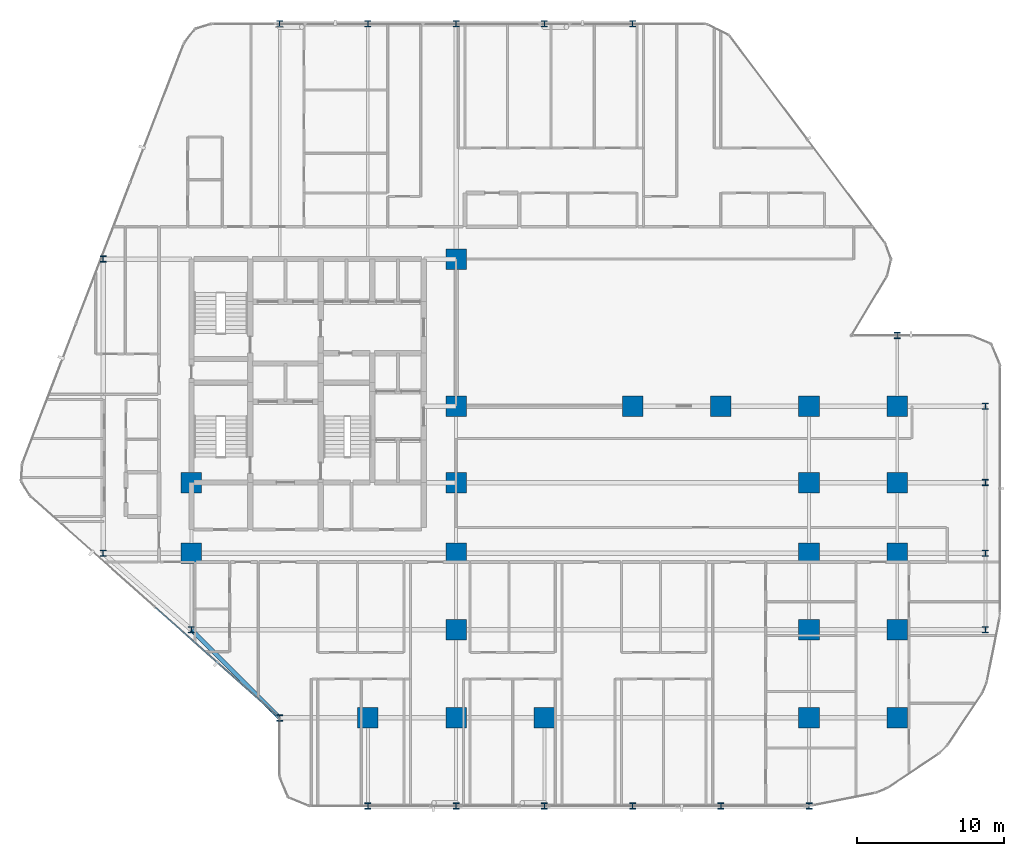
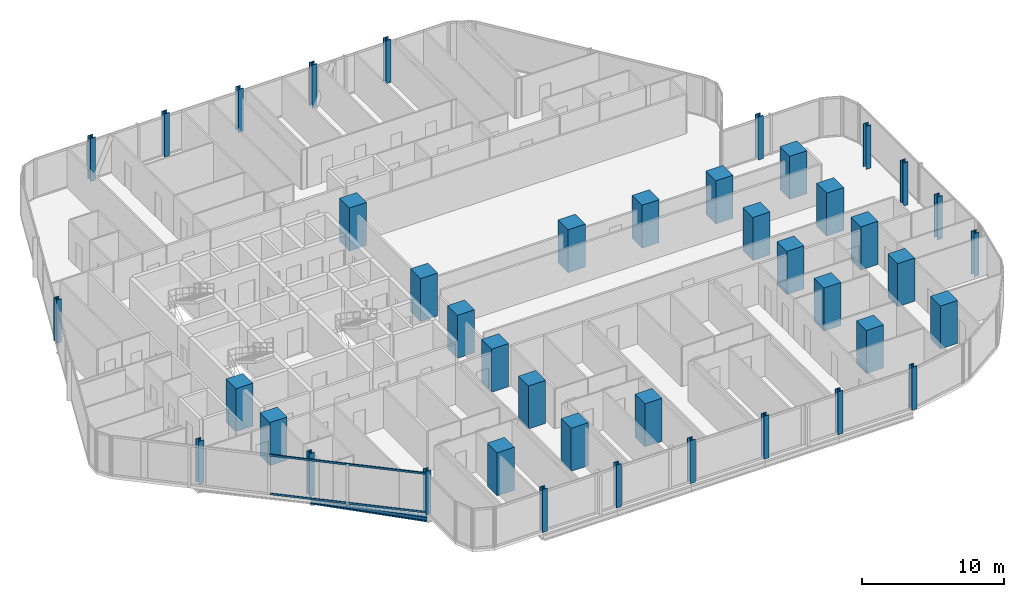
# One storey, part 1 of 35: 42 columns, 2 members, 1 beam, 1 element without a shape of its own.
"""IFC4 building model written with IfcOpenShell, lengths in metres."""

import ifcopenshell
import ifcopenshell.guid

model = None  # the IFC model being written
_history = None  # IfcOwnerHistory: only IFC2X3 demands one
_inside = {}  # id of a spatial element -> (the spatial element, [elements in it])
_under = {}  # id of a project, library or spatial element -> (it, [spatial elements below it])
_declared = {}  # id of a project -> (the project, [libraries it declares])
_typed = {}  # id of a type object -> (the type object, [elements of that type])
_made_of = {}  # id of a material, layer set ... -> (it, [elements and type objects made of it])


def new_model(schema):
    """Start an empty IFC model of exactly this schema.

    Asked for "IFC4X3", IfcOpenShell would pick the latest addendum, in which some entities
    have other attributes; the version numbers below select the first issue.
    IFC2X3 requires an IfcOwnerHistory on every rooted entity: one is made here for all.
    """
    global model, _history
    if schema == "IFC4X3":
        model = ifcopenshell.file(schema_version=(4, 3, 0, 0))
    else:
        model = ifcopenshell.file(schema=schema)
    _inside.clear()
    _under.clear()
    _declared.clear()
    _typed.clear()
    _made_of.clear()
    _history = None
    if model.schema == "IFC2X3":
        org = make("IfcOrganization", Name="unknown")
        user = make(
            "IfcPersonAndOrganization",
            ThePerson=make("IfcPerson", FamilyName="unknown"),
            TheOrganization=org,
        )
        app = make(
            "IfcApplication",
            ApplicationDeveloper=org,
            Version="unknown",
            ApplicationFullName="unknown",
            ApplicationIdentifier="unknown",
        )
        _history = make(
            "IfcOwnerHistory",
            OwningUser=user,
            OwningApplication=app,
            ChangeAction="ADDED",
            CreationDate=0,
        )
    return model


def make(cls, **values):
    """One entity of the class cls with the attributes given. An attribute that is None is left unset."""
    return model.create_entity(
        cls, **{name: value for name, value in values.items() if value is not None}
    )


def rooted(cls, **values):
    """An entity with a GlobalId (a new one), such as an element, a storey or a relation."""
    return make(cls, GlobalId=ifcopenshell.guid.new(), OwnerHistory=_history, **values)


def si_unit(unit_type, name, prefix=None):
    """IfcSIUnit, for example si_unit("LENGTHUNIT", "METRE", prefix="MILLI")."""
    return make("IfcSIUnit", UnitType=unit_type, Prefix=prefix, Name=name)


def assignment(units):
    """IfcUnitAssignment: the units of a project."""
    return None if units is None else make("IfcUnitAssignment", Units=units)


def point(xyz):
    """IfcCartesianPoint."""
    return None if xyz is None else make("IfcCartesianPoint", Coordinates=xyz)


def direction(xyz):
    """IfcDirection."""
    return None if xyz is None else make("IfcDirection", DirectionRatios=xyz)


def frame(location, z_axis=None, x_axis=None):
    """IfcAxis2Placement3D, a coordinate frame: its origin and axes. An axis left out is left unset."""
    return make(
        "IfcAxis2Placement3D",
        Location=point(location),
        Axis=direction(z_axis),
        RefDirection=direction(x_axis),
    )


def frame_2d(location, x_axis=None):
    """IfcAxis2Placement2D, a coordinate frame in the plane: its origin and x axis."""
    return make(
        "IfcAxis2Placement2D", Location=point(location), RefDirection=direction(x_axis)
    )


def origin():
    """The frame at (0, 0, 0) with its axes left unset."""
    return frame((0.0, 0.0, 0.0))


def origin_2d():
    """The frame at (0, 0) in the plane with its x axis left unset."""
    return frame_2d((0.0, 0.0))


def place(relative_to, where):
    """IfcLocalPlacement: puts the frame where relative to a parent placement (None: the world)."""
    return make(
        "IfcLocalPlacement", PlacementRelTo=relative_to, RelativePlacement=where
    )


def context(
    kind, dimensions, precision=None, world=None, true_north=None, identifier=None
):
    """IfcGeometricRepresentationContext, for example the 3D "Model" context."""
    return make(
        "IfcGeometricRepresentationContext",
        ContextIdentifier=identifier,
        ContextType=kind,
        CoordinateSpaceDimension=dimensions,
        Precision=precision,
        WorldCoordinateSystem=world,
        TrueNorth=true_north,
    )


def subcontext(parent, identifier, kind, view, scale=None):
    """IfcGeometricRepresentationSubContext, for example "Body" below "Model"."""
    return make(
        "IfcGeometricRepresentationSubContext",
        ContextIdentifier=identifier,
        ContextType=kind,
        ParentContext=parent,
        TargetScale=scale,
        TargetView=view,
    )


def project(units=None, contexts=None):
    """IfcProject with its units and contexts."""
    return rooted(
        "IfcProject",
        Name="project",
        RepresentationContexts=contexts,
        UnitsInContext=assignment(units),
    )


def spatial(cls, under=None, at=None, **own):
    """A site, building, storey or space (cls), placed at a placement, below another one or the project."""
    s = rooted(cls, ObjectPlacement=at, **own)
    if under is not None:
        _under.setdefault(under.id(), (under, []))[1].append(s)
    return s


def profile(cls, at=None, kind="AREA", **sizes):
    """A parametric profile (cls). Its sizes go by their IFC names, for example OverallWidth=200.0."""
    return make(cls, ProfileType=kind, Position=at, **sizes)


def rectangle(**sizes):
    """IfcRectangleProfileDef."""
    return profile("IfcRectangleProfileDef", **sizes)


def hollow_rectangle(**sizes):
    """IfcRectangleHollowProfileDef."""
    return profile("IfcRectangleHollowProfileDef", **sizes)


def i_section(**sizes):
    """IfcIShapeProfileDef."""
    return profile("IfcIShapeProfileDef", **sizes)


def extrude(swept, where, along, depth):
    """IfcExtrudedAreaSolid: the profile swept, set in the frame where, extruded along a direction by depth."""
    return make(
        "IfcExtrudedAreaSolid",
        SweptArea=swept,
        Position=where,
        ExtrudedDirection=direction(along),
        Depth=depth,
    )


def shape(context_of_items, identifier, shape_type, items):
    """IfcShapeRepresentation: the items that make up one representation, for example the "Body"."""
    return make(
        "IfcShapeRepresentation",
        ContextOfItems=context_of_items,
        RepresentationIdentifier=identifier,
        RepresentationType=shape_type,
        Items=items,
    )


def material(Name=None, Category=None):
    """IfcMaterial."""
    return make("IfcMaterial", Name=Name, Category=Category)


def layer(
    of_material, thickness, ventilated=None, Name=None, Category=None, Priority=None
):
    """IfcMaterialLayer: one layer of a wall or slab, of a material (None: an air gap)."""
    return make(
        "IfcMaterialLayer",
        Material=of_material,
        LayerThickness=thickness,
        IsVentilated=ventilated,
        Name=Name,
        Category=Category,
        Priority=Priority,
    )


def layer_set(layers, Name=None):
    """IfcMaterialLayerSet."""
    return make("IfcMaterialLayerSet", MaterialLayers=layers, LayerSetName=Name)


def material_profile(
    of_material, cross_section, Name=None, Category=None, Priority=None
):
    """IfcMaterialProfile: a cross section and its material."""
    return make(
        "IfcMaterialProfile",
        Name=Name,
        Material=of_material,
        Profile=cross_section,
        Priority=Priority,
        Category=Category,
    )


def profile_set(profiles, Name=None, composite=None):
    """IfcMaterialProfileSet."""
    return make(
        "IfcMaterialProfileSet",
        Name=Name,
        MaterialProfiles=profiles,
        CompositeProfile=composite,
    )


def made_of(thing, what):
    """Note that an element or type object is made of a material, layer set ...; save() writes the relation."""
    if what is not None:
        _made_of.setdefault(what.id(), (what, []))[1].append(thing)
    return thing


def type_object(cls, material=None, **own):
    """A type object (cls), such as IfcWallType, which elements share."""
    return made_of(rooted(cls, **own), material)


def element(
    cls,
    number,
    at=None,
    inside=None,
    cuts=None,
    type_object=None,
    material=None,
    context=None,
    identifier="Body",
    shape_type=None,
    held_by="IfcProductDefinitionShape",
    body=None,
    shapes=None,
    **own,
):
    """One element of the class cls, such as IfcWall. Its Tag is "e" and its number.

    at: its placement. inside: the storey or other place that contains it. cuts: it is an
    opening in that element (IfcRelVoidsElement). A single representation is given by context,
    identifier, shape_type and body (its items); several are given by shapes. held_by: the class
    of the entity that holds the representations. save() writes the other relations.
    """
    e = rooted(cls, Tag="e%d" % number, ObjectPlacement=at, **own)
    if body is not None:
        shapes = [shape(context, identifier, shape_type, body)]
    if shapes is not None:
        e.Representation = make(held_by, Representations=shapes)
    if inside is not None:
        _inside.setdefault(inside.id(), (inside, []))[1].append(e)
    if cuts is not None:
        rooted(
            "IfcRelVoidsElement", RelatingBuildingElement=cuts, RelatedOpeningElement=e
        )
    if type_object is not None:
        _typed.setdefault(type_object.id(), (type_object, []))[1].append(e)
    return made_of(e, material)


def aggregate(whole, parts):
    """IfcRelAggregates: a whole, such as a stair, and the parts it consists of."""
    return rooted("IfcRelAggregates", RelatingObject=whole, RelatedObjects=parts)


def save(model, path):
    """Write the relations noted so far, then the file.

    IfcRelAggregates (storeys below a building ...), IfcRelContainedInSpatialStructure (elements
    in a storey), IfcRelDefinesByType, IfcRelAssociatesMaterial and IfcRelDeclares: one each for
    every whole, place, type object, material and project.
    """
    for whole, parts in _under.values():
        aggregate(whole, parts)
    for where, things in _inside.values():
        rooted(
            "IfcRelContainedInSpatialStructure",
            RelatedElements=things,
            RelatingStructure=where,
        )
    for kind, things in _typed.values():
        rooted("IfcRelDefinesByType", RelatedObjects=things, RelatingType=kind)
    for what, things in _made_of.values():
        rooted("IfcRelAssociatesMaterial", RelatedObjects=things, RelatingMaterial=what)
    for by, libraries in _declared.values():
        rooted("IfcRelDeclares", RelatingContext=by, RelatedDefinitions=libraries)
    model.write(path)


model = new_model("IFC4")

# Units and contexts
model_context = context("Model", 3, precision=1e-05, world=origin(), true_north=direction((0.0, 1.0)))
body_context = subcontext(model_context, "Body", "Model", "MODEL_VIEW")
ifc_project = project(units=[si_unit("LENGTHUNIT", "METRE"), si_unit("AREAUNIT", "SQUARE_METRE"), si_unit("VOLUMEUNIT", "CUBIC_METRE"), si_unit("PLANEANGLEUNIT", "RADIAN"), si_unit("MASSUNIT", "GRAM", prefix="KILO")], contexts=[model_context])

# Site, building, storey
site_placement = place(None, origin())
site = spatial("IfcSite", under=ifc_project, at=site_placement, CompositionType="ELEMENT")
building_placement = place(site_placement, origin())
building = spatial("IfcBuilding", under=site, at=building_placement, Name="Keshet Zoharim Tower", CompositionType="ELEMENT")
storey_placement = place(building_placement, frame((0.0, 0.0, 24.0)))
storey = spatial("IfcBuildingStorey", under=building, at=storey_placement, Name="L04", CompositionType="ELEMENT", Elevation=24.0)

# Columns
ifc_material_1 = material(Name="Steel S355", Category="steel")
ifc_material_profile_1 = material_profile(ifc_material_1, i_section(OverallWidth=0.408935546875, OverallDepth=0.425048828125, WebThickness=0.031982421875, FlangeThickness=0.052490234375, FilletRadius=0.014892578125, at=origin_2d()), Name="HD400x421")
ifc_profile_set_1 = profile_set([ifc_material_profile_1], Name="Steel S355")
column_type_1 = type_object("IfcColumnType", Name="COL-HD421", PredefinedType="COLUMN", material=ifc_profile_set_1)
for number, where, z_axis, x_axis, name in (
    (1, (9.0, 17.89990234375, 0.0), (0.0, 0.0, 1.0), (1.0, 0.0, 0.0), "L04 Column 2D"),
    (2, (9.0, 37.89990234375, 0.0), (0.0, 0.0, 1.0), (1.0, 0.0, 0.0), "L04 Column 2H"),
    (3, (15.0, 12.699951171875, 0.0), (0.0, 0.0, 1.0), (1.0, 0.0, 0.0), "L04 Column 3C"),
    (4, (21.0, 6.699951171875, 0.0), (0.0, 0.0, 1.0), (1.0, 0.0, 0.0), "L04 Column 4B"),
    (5, (21.0, 53.89990234375, 0.0), (0.0, 0.0, 1.0), (1.0, 0.0, 0.0), "L04 Column 4L"),
    (6, (27.0, 0.699951171875, 0.0), (0.0, 0.0, 1.0), (1.0, 0.0, 0.0), "L04 Column 5A"),
    (7, (27.0, 53.89990234375, 0.0), (0.0, 0.0, 1.0), (1.0, 0.0, 0.0), "L04 Column 5L"),
    (8, (33.0, 0.699951171875, 0.0), (0.0, 0.0, 1.0), (1.0, 0.0, 0.0), "L04 Column 6A"),
    (9, (33.0, 53.89990234375, 0.0), (0.0, 0.0, 1.0), (1.0, 0.0, 0.0), "L04 Column 6L"),
    (10, (39.0, 0.699951171875, 0.0), (0.0, 0.0, 1.0), (1.0, 0.0, 0.0), "L04 Column 7A"),
    (11, (39.0, 53.89990234375, 0.0), (0.0, 0.0, 1.0), (1.0, 0.0, 0.0), "L04 Column 7L"),
    (12, (45.0, 0.699951171875, 0.0), (0.0, 0.0, 1.0), (1.0, 0.0, 0.0), "L04 Column 8A"),
    (13, (45.0, 53.89990234375, 0.0), (0.0, 0.0, 1.0), (1.0, 0.0, 0.0), "L04 Column 8L"),
    (14, (51.0, 0.699951171875, 0.0), (0.0, 0.0, 1.0), (1.0, 0.0, 0.0), "L04 Column 9A"),
    (15, (57.0, 0.699951171875, 0.0), (0.0, 0.0, 1.0), (1.0, 0.0, 0.0), "L04 Column 10A"),
    (16, (63.0, 32.699951171875, 0.0), (0.0, 0.0, 1.0), (1.0, 0.0, 0.0), "L04 Column 11G"),
    (17, (69.0, 12.699951171875, 0.0), (0.0, 0.0, 1.0), (1.0, 0.0, 0.0), "L04 Column 12C"),
    (18, (69.0, 17.89990234375, 0.0), (0.0, 0.0, 1.0), (1.0, 0.0, 0.0), "L04 Column 12D"),
    (19, (69.0, 22.699951171875, 0.0), (0.0, 0.0, 1.0), (1.0, 0.0, 0.0), "L04 Column 12E"),
    (20, (69.0, 27.89990234375, 0.0), (0.0, 0.0, 1.0), (1.0, 0.0, 0.0), "L04 Column 12F"),
):
    element("IfcColumn", number, at=place(storey_placement, frame(where, z_axis=z_axis, x_axis=x_axis)), inside=storey, type_object=column_type_1, Name=name, PredefinedType="COLUMN", context=body_context, shape_type="SweptSolid", body=[
        extrude(i_section(OverallWidth=0.408935546875, OverallDepth=0.425048828125, WebThickness=0.031982421875, FlangeThickness=0.052490234375, FilletRadius=0.014892578125, at=origin_2d()), origin(), (0.0, 0.0, 1.0), 3.699951171875),
    ])
ifc_material_2 = material(Name="Concrete C60/75", Category="concrete")
ifc_material_profile_2 = material_profile(ifc_material_2, rectangle(XDim=1.39990234375, YDim=1.39990234375, at=origin_2d()), Name="RC1400x1400")
ifc_profile_set_2 = profile_set([ifc_material_profile_2], Name="Concrete C60/75")
column_type_2 = type_object("IfcColumnType", Name="COL-RC1400", PredefinedType="COLUMN", material=ifc_profile_set_2)
for number, where, z_axis, x_axis, name in (
    (21, (15.0, 17.89990234375, 0.0), (0.0, 0.0, 1.0), (1.0, 0.0, 0.0), "L04 Column 3D"),
    (22, (15.0, 22.699951171875, 0.0), (0.0, 0.0, 1.0), (1.0, 0.0, 0.0), "L04 Column 3E"),
    (23, (27.0, 6.699951171875, 0.0), (0.0, 0.0, 1.0), (1.0, 0.0, 0.0), "L04 Column 5B"),
    (24, (33.0, 6.699951171875, 0.0), (0.0, 0.0, 1.0), (1.0, 0.0, 0.0), "L04 Column 6B"),
    (25, (33.0, 12.699951171875, 0.0), (0.0, 0.0, 1.0), (1.0, 0.0, 0.0), "L04 Column 6C"),
    (26, (33.0, 17.89990234375, 0.0), (0.0, 0.0, 1.0), (1.0, 0.0, 0.0), "L04 Column 6D"),
    (27, (33.0, 22.699951171875, 0.0), (0.0, 0.0, 1.0), (1.0, 0.0, 0.0), "L04 Column 6E"),
    (28, (33.0, 27.89990234375, 0.0), (0.0, 0.0, 1.0), (1.0, 0.0, 0.0), "L04 Column 6F"),
    (29, (33.0, 37.89990234375, 0.0), (0.0, 0.0, 1.0), (1.0, 0.0, 0.0), "L04 Column 6H"),
    (30, (39.0, 6.699951171875, 0.0), (0.0, 0.0, 1.0), (1.0, 0.0, 0.0), "L04 Column 7B"),
    (31, (45.0, 27.89990234375, 0.0), (0.0, 0.0, 1.0), (1.0, 0.0, 0.0), "L04 Column 8F"),
    (32, (51.0, 27.89990234375, 0.0), (0.0, 0.0, 1.0), (1.0, 0.0, 0.0), "L04 Column 9F"),
    (33, (57.0, 6.699951171875, 0.0), (0.0, 0.0, 1.0), (1.0, 0.0, 0.0), "L04 Column 10B"),
    (34, (57.0, 12.699951171875, 0.0), (0.0, 0.0, 1.0), (1.0, 0.0, 0.0), "L04 Column 10C"),
    (35, (57.0, 17.89990234375, 0.0), (0.0, 0.0, 1.0), (1.0, 0.0, 0.0), "L04 Column 10D"),
    (36, (57.0, 22.699951171875, 0.0), (0.0, 0.0, 1.0), (1.0, 0.0, 0.0), "L04 Column 10E"),
    (37, (57.0, 27.89990234375, 0.0), (0.0, 0.0, 1.0), (1.0, 0.0, 0.0), "L04 Column 10F"),
    (38, (63.0, 6.699951171875, 0.0), (0.0, 0.0, 1.0), (1.0, 0.0, 0.0), "L04 Column 11B"),
    (39, (63.0, 12.699951171875, 0.0), (0.0, 0.0, 1.0), (1.0, 0.0, 0.0), "L04 Column 11C"),
    (40, (63.0, 17.89990234375, 0.0), (0.0, 0.0, 1.0), (1.0, 0.0, 0.0), "L04 Column 11D"),
    (41, (63.0, 22.699951171875, 0.0), (0.0, 0.0, 1.0), (1.0, 0.0, 0.0), "L04 Column 11E"),
    (42, (63.0, 27.89990234375, 0.0), (0.0, 0.0, 1.0), (1.0, 0.0, 0.0), "L04 Column 11F"),
):
    element("IfcColumn", number, at=place(storey_placement, frame(where, z_axis=z_axis, x_axis=x_axis)), inside=storey, type_object=column_type_2, Name=name, PredefinedType="COLUMN", context=body_context, shape_type="SweptSolid", body=[
        extrude(rectangle(XDim=1.39990234375, YDim=1.39990234375, at=origin_2d()), origin(), (0.0, 0.0, 1.0), 3.699951171875),
    ])

# Beam
ifc_material_profile_3 = material_profile(ifc_material_1, i_section(OverallWidth=0.300048828125, OverallDepth=0.39990234375, WebThickness=0.013427734375, FlangeThickness=0.02392578125, FilletRadius=0.027099609375, at=origin_2d()), Name="HEB400")
ifc_profile_set_3 = profile_set([ifc_material_profile_3], Name="Steel S355")
beam_type = type_object("IfcBeamType", Name="BM-SPN-HB400", PredefinedType="SPANDREL", material=ifc_profile_set_3)
beam_placement = place(storey_placement, frame((21.0, 6.699951171875, -0.514892578125), z_axis=(-0.707106781187, 0.707106781187, 0.0), x_axis=(-0.707106781187, -0.707106781187, 0.0)))
element("IfcBeam", 43, at=beam_placement, inside=storey, type_object=beam_type, Name="L04 Perimeter Spandrel Beam 01", PredefinedType="SPANDREL", context=body_context, shape_type="SweptSolid", body=[
    extrude(i_section(OverallWidth=0.300048828125, OverallDepth=0.39990234375, WebThickness=0.013427734375, FlangeThickness=0.02392578125, FilletRadius=0.027099609375, at=origin_2d()), origin(), (0.0, 0.0, 1.0), 8.4853515625),
])

# Curtain wall, members
ifc_material_3 = material(Name="Aluminium 6063-T6", Category="aluminium")
ifc_layer = layer(ifc_material_3, 0.179931640625)
ifc_layer_set = layer_set([ifc_layer], Name="Aluminium 6063-T6")
curtain_wall_type = type_object("IfcCurtainWallType", Name="CW-SYS-01", PredefinedType="NOTDEFINED", material=ifc_layer_set)
curtain_wall_placement = place(storey_placement, origin())
curtain_wall = element("IfcCurtainWall", 44, at=curtain_wall_placement, inside=storey, type_object=curtain_wall_type, Name="L04 Unitised Curtain Wall 01", PredefinedType="NOTDEFINED")
ifc_material_profile_4 = material_profile(ifc_material_3, hollow_rectangle(XDim=0.0849609375, YDim=0.159912109375, WallThickness=0.00439453125, at=origin_2d()), Name="TRN-85x160")
ifc_profile_set_4 = profile_set([ifc_material_profile_4], Name="Aluminium 6063-T6")
member_type = type_object("IfcMemberType", Name="CWT-T16", PredefinedType="USERDEFINED", material=ifc_profile_set_4)
member_1_placement = place(storey_placement, frame((20.94775390625, 6.74658203125, 0.034912109375), z_axis=(-0.747411714548, 0.664361143472, 0.0), x_axis=(-0.664361143472, -0.747411714548, 0.0)))
member_1 = element("IfcMember", 45, at=member_1_placement, type_object=member_type, Name="CW-01 transom 1.1", ObjectType="TRANSOM", PredefinedType="USERDEFINED", context=body_context, shape_type="SweptSolid", body=[
    extrude(hollow_rectangle(XDim=0.0849609375, YDim=0.159912109375, WallThickness=0.00439453125, at=origin_2d()), origin(), (0.0, 0.0, 1.0), 11.244140625),
])
member_2_placement = place(storey_placement, frame((20.94775390625, 6.74658203125, 3.35009765625), z_axis=(-0.747411714548, 0.664361143472, 0.0), x_axis=(-0.664361143472, -0.747411714548, 0.0)))
member_2 = element("IfcMember", 46, at=member_2_placement, type_object=member_type, Name="CW-01 transom 1.2", ObjectType="TRANSOM", PredefinedType="USERDEFINED", context=body_context, shape_type="SweptSolid", body=[
    extrude(hollow_rectangle(XDim=0.0849609375, YDim=0.159912109375, WallThickness=0.00439453125, at=origin_2d()), origin(), (0.0, 0.0, 1.0), 11.244140625),
])
aggregate(curtain_wall, [member_1, member_2])

save(model, "model.ifc")
